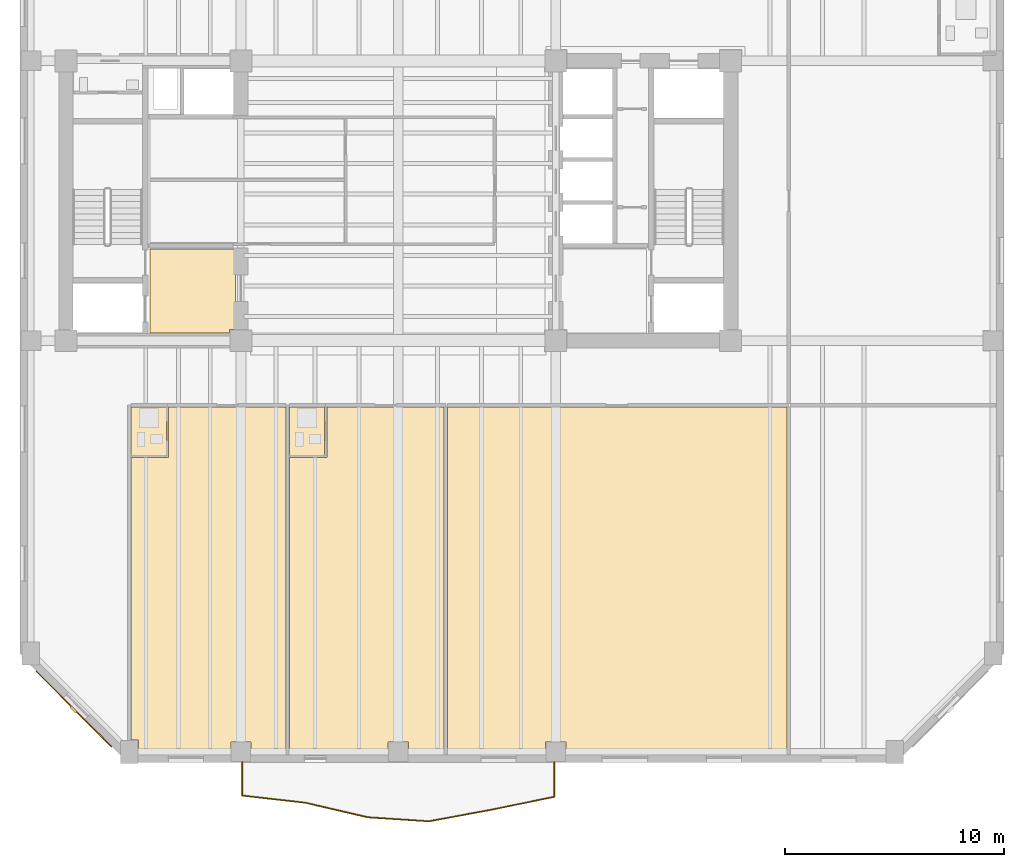
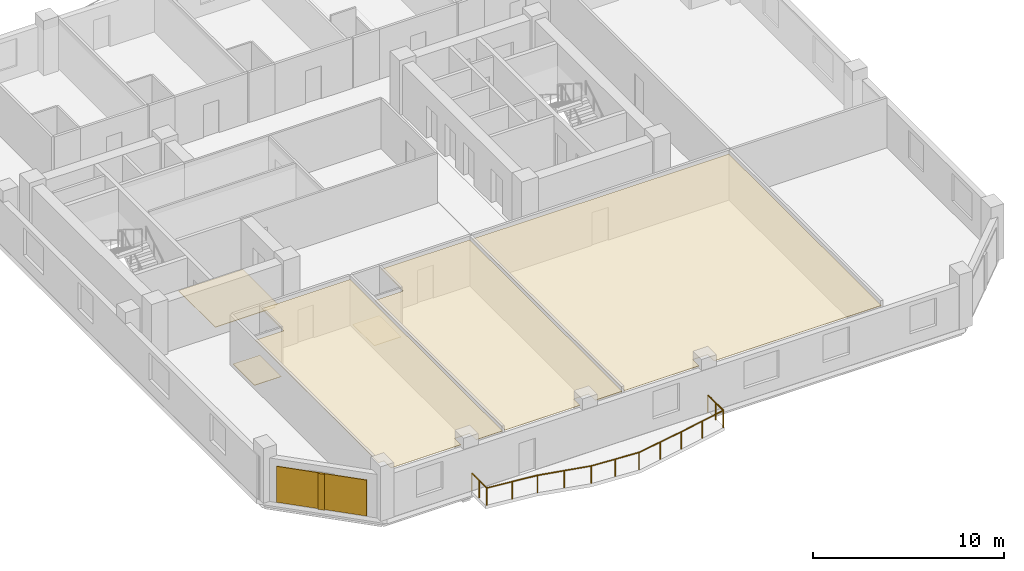
# One storey, part 6 of 9: 7 coverings, 1 railing, 1 shading device.
"""IFC4 building model written with IfcOpenShell, lengths in metres."""

from ifc_helpers import new_model, si_unit, direction, frame, origin, origin_2d, place, context, subcontext, project, spatial, polyline, rectangle, circle, outline, extrude, material, layer, layer_set, type_object, element, save


model = new_model("IFC4")

# Units and contexts
model_context = context("Model", 3, precision=1e-05, world=origin(), true_north=direction((0.0, 1.0)))
body_context = subcontext(model_context, "Body", "Model", "MODEL_VIEW")
ifc_project = project(units=[si_unit("LENGTHUNIT", "METRE"), si_unit("AREAUNIT", "SQUARE_METRE"), si_unit("VOLUMEUNIT", "CUBIC_METRE"), si_unit("PLANEANGLEUNIT", "RADIAN"), si_unit("MASSUNIT", "GRAM", prefix="KILO")], contexts=[model_context])

# Site, building, storey
site_placement = place(None, origin())
site = spatial("IfcSite", under=ifc_project, at=site_placement, CompositionType="ELEMENT")
building_placement = place(site_placement, origin())
building = spatial("IfcBuilding", under=site, at=building_placement, Name="Kranthara Brick Stack", CompositionType="ELEMENT")
storey_placement = place(building_placement, frame((0.0, 0.0, 148.300048828125)))
storey = spatial("IfcBuildingStorey", under=building, at=storey_placement, Name="L37", CompositionType="ELEMENT", Elevation=148.300048828125)

# Coverings
ifc_material_1 = material(Name="Perforated mineral-fibre acoustic ceiling tile", Category="other")
ifc_layer_1 = layer(ifc_material_1, 0.02490234375)
ifc_layer_set_1 = layer_set([ifc_layer_1], Name="Perforated mineral-fibre acoustic ceiling tile")
covering_type_1 = type_object("IfcCoveringType", Name="COV-CEIL-ACOUSTIC", PredefinedType="CEILING", material=ifc_layer_set_1)
covering_1_placement = place(storey_placement, frame((0.0, 0.0, 2.929931640625)))
element("IfcCovering", 1, at=covering_1_placement, inside=storey, type_object=covering_type_1, Name="L37 Room L37-01 Corner Junior Suite Acoustic Ceiling", PredefinedType="CEILING", context=body_context, shape_type="SweptSolid", body=[
    extrude(outline(polyline([(17.49658203125, 15.4599609375), (17.49658203125, 17.77001953125), (22.85595703125, 17.77001953125), (22.85595703125, 1.800048828125), (21.260009765625, 1.800048828125), (21.260009765625, 2.4599609375), (20.340087890625, 2.4599609375), (20.340087890625, 1.800048828125), (16.110107421875, 1.800048828125), (16.110107421875, 2.534912109375), (15.780029296875, 2.534912109375), (15.780029296875, 15.4599609375), (17.49658203125, 15.4599609375)])), origin(), (0.0, 0.0, 1.0), 0.02490234375),
])
covering_2_placement = place(storey_placement, frame((0.0, 0.0, 2.929931640625)))
element("IfcCovering", 2, at=covering_2_placement, inside=storey, type_object=covering_type_1, Name="L37 Room L37-02 Corner Junior Suite Acoustic Ceiling", PredefinedType="CEILING", context=body_context, shape_type="SweptSolid", body=[
    extrude(outline(polyline([(23.01611328125, 1.800048828125), (23.01611328125, 15.4599609375), (24.732666015625, 15.4599609375), (24.732666015625, 17.77001953125), (30.092041015625, 17.77001953125), (30.092041015625, 1.800048828125), (28.4599609375, 1.800048828125), (28.4599609375, 2.4599609375), (27.5400390625, 2.4599609375), (27.5400390625, 1.800048828125), (23.01611328125, 1.800048828125)])), origin(), (0.0, 0.0, 1.0), 0.02490234375),
])
covering_3_placement = place(storey_placement, frame((0.0, 0.0, 2.929931640625)))
element("IfcCovering", 3, at=covering_3_placement, inside=storey, type_object=covering_type_1, Name="L37 L37 Guest Sky Lounge 3 Acoustic Ceiling", PredefinedType="CEILING", context=body_context, shape_type="SweptSolid", body=[
    extrude(outline(polyline([(30.251953125, 1.800048828125), (30.251953125, 17.77001953125), (45.77001953125, 17.77001953125), (45.77001953125, 1.800048828125), (35.659912109375, 1.800048828125), (35.659912109375, 2.4599609375), (34.739990234375, 2.4599609375), (34.739990234375, 1.800048828125), (30.251953125, 1.800048828125)])), origin(), (0.0, 0.0, 1.0), 0.02490234375),
])
ifc_material_2 = material(Name="Warm buff kiln-fired brick slip rainscreen", Category="masonry")
ifc_layer_2 = layer(ifc_material_2, 0.044921875)
ifc_layer_set_2 = layer_set([ifc_layer_2], Name="Warm buff kiln-fired brick slip rainscreen")
covering_type_2 = type_object("IfcCoveringType", Name="COV-CLAD-BRICK", PredefinedType="CLADDING", material=ifc_layer_set_2)
covering_4_placement = place(storey_placement, frame((13.15966796875, 3.959716796875, 0.0498046875), z_axis=(0.0, 0.0, 1.0), x_axis=(-0.707106781187, 0.707106781187, 0.0)))
element("IfcCovering", 4, at=covering_4_placement, inside=storey, type_object=covering_type_2, Name="L37 Chamfer Brick Rainscreen Cladding SW", PredefinedType="CLADDING", context=body_context, shape_type="SweptSolid", body=[
    extrude(rectangle(XDim=4.89306640625, YDim=0.044921875, at=origin_2d()), origin(), (0.0, 0.0, 1.0), 2.300048828125),
])
ifc_material_3 = material(Name="Honed terrazzo and porcelain floor finish", Category="stone")
ifc_layer_3 = layer(ifc_material_3, 0.030029296875)
ifc_layer_set_3 = layer_set([ifc_layer_3], Name="Honed terrazzo and porcelain floor finish")
covering_type_3 = type_object("IfcCoveringType", Name="COV-FLOR-STONE", PredefinedType="FLOORING", material=ifc_layer_set_3)
covering_5_placement = place(storey_placement, origin())
element("IfcCovering", 5, at=covering_5_placement, inside=storey, type_object=covering_type_3, Name="L37 Lift Lobby Stone Flooring", PredefinedType="FLOORING", context=body_context, shape_type="SweptSolid", body=[
    extrude(outline(polyline([(16.64990234375, 21.14990234375), (16.64990234375, 25.0), (20.550048828125, 25.0), (20.550048828125, 21.31005859375), (20.2900390625, 21.31005859375), (20.2900390625, 21.14990234375), (16.64990234375, 21.14990234375)])), origin(), (0.0, 0.0, 1.0), 0.030029296875),
])
covering_6_placement = place(storey_placement, origin())
element("IfcCovering", 6, at=covering_6_placement, inside=storey, type_object=covering_type_3, Name="L37 Wet Room Porcelain Flooring", PredefinedType="FLOORING", context=body_context, shape_type="SweptSolid", body=[
    extrude(outline(polyline([(15.780029296875, 15.52001953125), (15.780029296875, 17.77001953125), (17.396728515625, 17.77001953125), (17.396728515625, 15.52001953125), (15.780029296875, 15.52001953125)])), origin(), (0.0, 0.0, 1.0), 0.030029296875),
])
covering_7_placement = place(storey_placement, origin())
element("IfcCovering", 7, at=covering_7_placement, inside=storey, type_object=covering_type_3, Name="L37 Wet Room Porcelain Flooring", PredefinedType="FLOORING", context=body_context, shape_type="SweptSolid", body=[
    extrude(outline(polyline([(23.01611328125, 15.52001953125), (23.01611328125, 17.77001953125), (24.632568359375, 17.77001953125), (24.632568359375, 15.52001953125), (23.01611328125, 15.52001953125)])), origin(), (0.0, 0.0, 1.0), 0.030029296875),
])

# Railing
ifc_material_4 = material(Name="Bronze anodised aluminium and laminated glass balustrade", Category="aluminium")
railing_type = type_object("IfcRailingType", Name="RL-BALC-1120", PredefinedType="BALUSTRADE", material=ifc_material_4)
railing_placement = place(storey_placement, frame((35.139892578125, 1.56005859375, 0.0)))
element("IfcRailing", 8, at=railing_placement, inside=storey, type_object=railing_type, Name="L37 South Rippling Balcony Balustrade", PredefinedType="BALUSTRADE", context=body_context, shape_type="SweptSolid", body=[
    extrude(circle(Radius=0.02392578125, at=origin_2d()), frame((0.0, 0.0, 1.09619140625), z_axis=(0.0, -1.0, 0.0), x_axis=(1.0, 0.0, 0.0)), (0.0, 0.0, 1.0), 1.6181640625),
    extrude(circle(Radius=0.02392578125, at=origin_2d()), frame((0.0, -1.6181640625, 1.09619140625), z_axis=(-0.979459937751, -0.201638861189, 0.0), x_axis=(0.201638861189, -0.979459937751, 0.0)), (0.0, 0.0, 1.0), 2.939697265625),
    extrude(circle(Radius=0.02392578125, at=origin_2d()), frame((-2.87939453125, -2.2109375, 1.09619140625), z_axis=(-0.983441014166, -0.181228506741, 0.0), x_axis=(0.181228506741, -0.983441014166, 0.0)), (0.0, 0.0, 1.0), 2.915283203125),
    extrude(circle(Radius=0.02392578125, at=origin_2d()), frame((-5.746337890625, -2.7392578125, 1.09619140625), z_axis=(-0.997844380593, 0.065624630432, 0.0), x_axis=(-0.065624630432, -0.997844380593, 0.0)), (0.0, 0.0, 1.0), 2.790283203125),
    extrude(circle(Radius=0.02392578125, at=origin_2d()), frame((-8.530517578125, -2.55615234375, 1.09619140625), z_axis=(-0.974067526229, 0.22625749567, 0.0), x_axis=(-0.22625749567, -0.974067526229, 0.0)), (0.0, 0.0, 1.0), 2.94580078125),
    extrude(circle(Radius=0.02392578125, at=origin_2d()), frame((-11.39990234375, -1.8896484375, 1.09619140625), z_axis=(-0.993656698465, 0.112456060737, 0.0), x_axis=(-0.112456060737, -0.993656698465, 0.0)), (0.0, 0.0, 1.0), 2.898193359375),
    extrude(circle(Radius=0.02392578125, at=origin_2d()), frame((-14.27978515625, -1.563720703125, 1.09619140625), z_axis=(0.0, 1.0, 0.0), x_axis=(-1.0, 0.0, 0.0)), (0.0, 0.0, 1.0), 1.563720703125),
    extrude(circle(Radius=0.02099609375, at=origin_2d()), origin(), (0.0, 0.0, 1.0), 1.072021484375),
    extrude(circle(Radius=0.02099609375, at=origin_2d()), frame((0.0, -0.80908203125, 0.0)), (0.0, 0.0, 1.0), 1.072021484375),
    extrude(circle(Radius=0.02099609375, at=origin_2d()), frame((0.0, -1.6181640625, 0.0)), (0.0, 0.0, 1.0), 1.072021484375),
    extrude(circle(Radius=0.02099609375, at=origin_2d()), frame((-1.439697265625, -1.91455078125, 0.0)), (0.0, 0.0, 1.0), 1.072021484375),
    extrude(circle(Radius=0.02099609375, at=origin_2d()), frame((-2.87939453125, -2.2109375, 0.0)), (0.0, 0.0, 1.0), 1.072021484375),
    extrude(circle(Radius=0.02099609375, at=origin_2d()), frame((-4.31298828125, -2.47509765625, 0.0)), (0.0, 0.0, 1.0), 1.072021484375),
    extrude(circle(Radius=0.02099609375, at=origin_2d()), frame((-5.746337890625, -2.7392578125, 0.0)), (0.0, 0.0, 1.0), 1.072021484375),
    extrude(circle(Radius=0.02099609375, at=origin_2d()), frame((-7.138427734375, -2.647705078125, 0.0)), (0.0, 0.0, 1.0), 1.072021484375),
    extrude(circle(Radius=0.02099609375, at=origin_2d()), frame((-8.530517578125, -2.55615234375, 0.0)), (0.0, 0.0, 1.0), 1.072021484375),
    extrude(circle(Radius=0.02099609375, at=origin_2d()), frame((-9.96533203125, -2.222900390625, 0.0)), (0.0, 0.0, 1.0), 1.072021484375),
    extrude(circle(Radius=0.02099609375, at=origin_2d()), frame((-11.39990234375, -1.8896484375, 0.0)), (0.0, 0.0, 1.0), 1.072021484375),
    extrude(circle(Radius=0.02099609375, at=origin_2d()), frame((-12.83984375, -1.7265625, 0.0)), (0.0, 0.0, 1.0), 1.072021484375),
    extrude(circle(Radius=0.02099609375, at=origin_2d()), frame((-14.27978515625, -1.563720703125, 0.0)), (0.0, 0.0, 1.0), 1.072021484375),
    extrude(circle(Radius=0.02099609375, at=origin_2d()), frame((-14.27978515625, -0.78173828125, 0.0)), (0.0, 0.0, 1.0), 1.072021484375),
    extrude(circle(Radius=0.02099609375, at=origin_2d()), frame((-14.27978515625, 0.0, 0.0)), (0.0, 0.0, 1.0), 1.072021484375),
])

# Shading device
ifc_material_5 = material(Name="Kiln-fired terracotta aerodynamic wind fin", Category="masonry")
shading_device_type = type_object("IfcShadingDeviceType", Name="SHD-BAFFLE-CORNER", PredefinedType="SHUTTER", material=ifc_material_5)
shading_device_placement = place(storey_placement, frame((13.138427734375, 3.9384765625, 0.0498046875), z_axis=(0.0, 0.0, 1.0), x_axis=(-0.707106781187, 0.707106781187, 0.0)))
element("IfcShadingDevice", 9, at=shading_device_placement, inside=storey, type_object=shading_device_type, Name="L37 Chamfer Wind-Baffle Fin SW", PredefinedType="SHUTTER", context=body_context, shape_type="SweptSolid", body=[
    extrude(rectangle(XDim=0.35009765625, YDim=0.1201171875, at=origin_2d()), origin(), (0.0, 0.0, 1.0), 2.300048828125),
])

save(model, "model.ifc")
